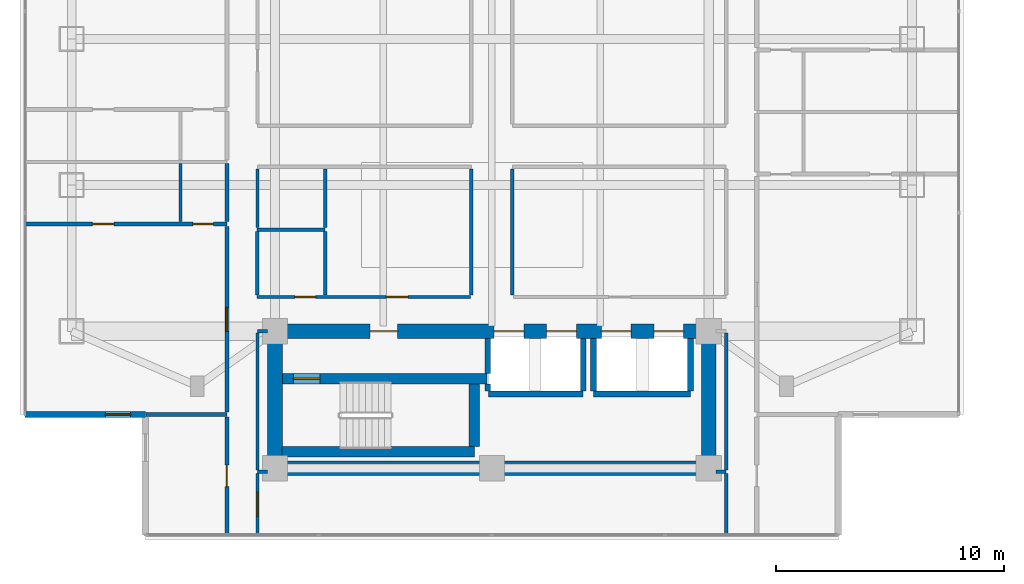
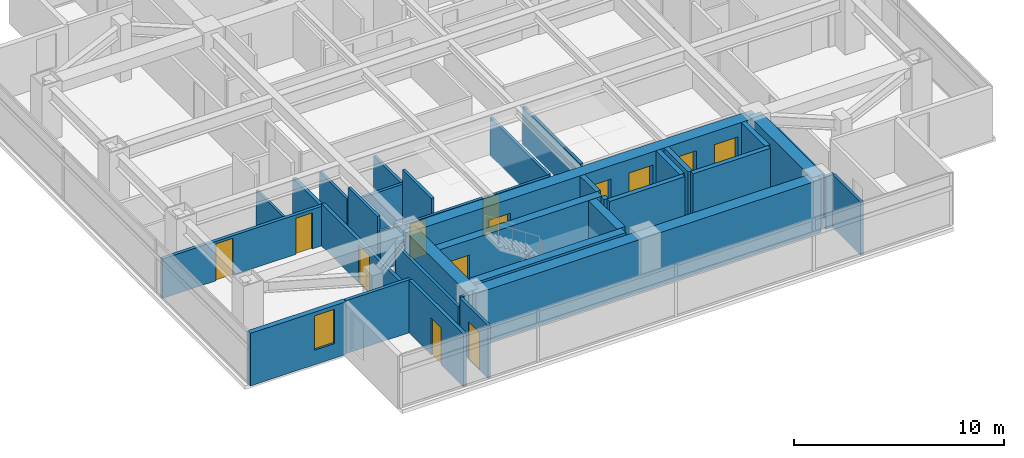
# One storey, part 14 of 27: 36 walls, 13 doors, 1 window, 14 openings.
"""IFC4 building model written with IfcOpenShell, lengths in metres."""

import ifcopenshell
import ifcopenshell.guid

model = None  # the IFC model being written
_history = None  # IfcOwnerHistory: only IFC2X3 demands one
_inside = {}  # id of a spatial element -> (the spatial element, [elements in it])
_under = {}  # id of a project, library or spatial element -> (it, [spatial elements below it])
_declared = {}  # id of a project -> (the project, [libraries it declares])
_typed = {}  # id of a type object -> (the type object, [elements of that type])
_made_of = {}  # id of a material, layer set ... -> (it, [elements and type objects made of it])


def new_model(schema):
    """Start an empty IFC model of exactly this schema.

    Asked for "IFC4X3", IfcOpenShell would pick the latest addendum, in which some entities
    have other attributes; the version numbers below select the first issue.
    IFC2X3 requires an IfcOwnerHistory on every rooted entity: one is made here for all.
    """
    global model, _history
    if schema == "IFC4X3":
        model = ifcopenshell.file(schema_version=(4, 3, 0, 0))
    else:
        model = ifcopenshell.file(schema=schema)
    _inside.clear()
    _under.clear()
    _declared.clear()
    _typed.clear()
    _made_of.clear()
    _history = None
    if model.schema == "IFC2X3":
        org = make("IfcOrganization", Name="unknown")
        user = make(
            "IfcPersonAndOrganization",
            ThePerson=make("IfcPerson", FamilyName="unknown"),
            TheOrganization=org,
        )
        app = make(
            "IfcApplication",
            ApplicationDeveloper=org,
            Version="unknown",
            ApplicationFullName="unknown",
            ApplicationIdentifier="unknown",
        )
        _history = make(
            "IfcOwnerHistory",
            OwningUser=user,
            OwningApplication=app,
            ChangeAction="ADDED",
            CreationDate=0,
        )
    return model


def make(cls, **values):
    """One entity of the class cls with the attributes given. An attribute that is None is left unset."""
    return model.create_entity(
        cls, **{name: value for name, value in values.items() if value is not None}
    )


def rooted(cls, **values):
    """An entity with a GlobalId (a new one), such as an element, a storey or a relation."""
    return make(cls, GlobalId=ifcopenshell.guid.new(), OwnerHistory=_history, **values)


def si_unit(unit_type, name, prefix=None):
    """IfcSIUnit, for example si_unit("LENGTHUNIT", "METRE", prefix="MILLI")."""
    return make("IfcSIUnit", UnitType=unit_type, Prefix=prefix, Name=name)


def assignment(units):
    """IfcUnitAssignment: the units of a project."""
    return None if units is None else make("IfcUnitAssignment", Units=units)


def point(xyz):
    """IfcCartesianPoint."""
    return None if xyz is None else make("IfcCartesianPoint", Coordinates=xyz)


def direction(xyz):
    """IfcDirection."""
    return None if xyz is None else make("IfcDirection", DirectionRatios=xyz)


def frame(location, z_axis=None, x_axis=None):
    """IfcAxis2Placement3D, a coordinate frame: its origin and axes. An axis left out is left unset."""
    return make(
        "IfcAxis2Placement3D",
        Location=point(location),
        Axis=direction(z_axis),
        RefDirection=direction(x_axis),
    )


def frame_2d(location, x_axis=None):
    """IfcAxis2Placement2D, a coordinate frame in the plane: its origin and x axis."""
    return make(
        "IfcAxis2Placement2D", Location=point(location), RefDirection=direction(x_axis)
    )


def origin():
    """The frame at (0, 0, 0) with its axes left unset."""
    return frame((0.0, 0.0, 0.0))


def place(relative_to, where):
    """IfcLocalPlacement: puts the frame where relative to a parent placement (None: the world)."""
    return make(
        "IfcLocalPlacement", PlacementRelTo=relative_to, RelativePlacement=where
    )


def context(
    kind, dimensions, precision=None, world=None, true_north=None, identifier=None
):
    """IfcGeometricRepresentationContext, for example the 3D "Model" context."""
    return make(
        "IfcGeometricRepresentationContext",
        ContextIdentifier=identifier,
        ContextType=kind,
        CoordinateSpaceDimension=dimensions,
        Precision=precision,
        WorldCoordinateSystem=world,
        TrueNorth=true_north,
    )


def subcontext(parent, identifier, kind, view, scale=None):
    """IfcGeometricRepresentationSubContext, for example "Body" below "Model"."""
    return make(
        "IfcGeometricRepresentationSubContext",
        ContextIdentifier=identifier,
        ContextType=kind,
        ParentContext=parent,
        TargetScale=scale,
        TargetView=view,
    )


def project(units=None, contexts=None):
    """IfcProject with its units and contexts."""
    return rooted(
        "IfcProject",
        Name="project",
        RepresentationContexts=contexts,
        UnitsInContext=assignment(units),
    )


def spatial(cls, under=None, at=None, **own):
    """A site, building, storey or space (cls), placed at a placement, below another one or the project."""
    s = rooted(cls, ObjectPlacement=at, **own)
    if under is not None:
        _under.setdefault(under.id(), (under, []))[1].append(s)
    return s


def profile(cls, at=None, kind="AREA", **sizes):
    """A parametric profile (cls). Its sizes go by their IFC names, for example OverallWidth=200.0."""
    return make(cls, ProfileType=kind, Position=at, **sizes)


def rectangle(**sizes):
    """IfcRectangleProfileDef."""
    return profile("IfcRectangleProfileDef", **sizes)


def extrude(swept, where, along, depth):
    """IfcExtrudedAreaSolid: the profile swept, set in the frame where, extruded along a direction by depth."""
    return make(
        "IfcExtrudedAreaSolid",
        SweptArea=swept,
        Position=where,
        ExtrudedDirection=direction(along),
        Depth=depth,
    )


def shape(context_of_items, identifier, shape_type, items):
    """IfcShapeRepresentation: the items that make up one representation, for example the "Body"."""
    return make(
        "IfcShapeRepresentation",
        ContextOfItems=context_of_items,
        RepresentationIdentifier=identifier,
        RepresentationType=shape_type,
        Items=items,
    )


def material(Name=None, Category=None):
    """IfcMaterial."""
    return make("IfcMaterial", Name=Name, Category=Category)


def layer(
    of_material, thickness, ventilated=None, Name=None, Category=None, Priority=None
):
    """IfcMaterialLayer: one layer of a wall or slab, of a material (None: an air gap)."""
    return make(
        "IfcMaterialLayer",
        Material=of_material,
        LayerThickness=thickness,
        IsVentilated=ventilated,
        Name=Name,
        Category=Category,
        Priority=Priority,
    )


def layer_set(layers, Name=None):
    """IfcMaterialLayerSet."""
    return make("IfcMaterialLayerSet", MaterialLayers=layers, LayerSetName=Name)


def made_of(thing, what):
    """Note that an element or type object is made of a material, layer set ...; save() writes the relation."""
    if what is not None:
        _made_of.setdefault(what.id(), (what, []))[1].append(thing)
    return thing


def type_object(cls, material=None, **own):
    """A type object (cls), such as IfcWallType, which elements share."""
    return made_of(rooted(cls, **own), material)


def element(
    cls,
    number,
    at=None,
    inside=None,
    cuts=None,
    type_object=None,
    material=None,
    context=None,
    identifier="Body",
    shape_type=None,
    held_by="IfcProductDefinitionShape",
    body=None,
    shapes=None,
    **own,
):
    """One element of the class cls, such as IfcWall. Its Tag is "e" and its number.

    at: its placement. inside: the storey or other place that contains it. cuts: it is an
    opening in that element (IfcRelVoidsElement). A single representation is given by context,
    identifier, shape_type and body (its items); several are given by shapes. held_by: the class
    of the entity that holds the representations. save() writes the other relations.
    """
    e = rooted(cls, Tag="e%d" % number, ObjectPlacement=at, **own)
    if body is not None:
        shapes = [shape(context, identifier, shape_type, body)]
    if shapes is not None:
        e.Representation = make(held_by, Representations=shapes)
    if inside is not None:
        _inside.setdefault(inside.id(), (inside, []))[1].append(e)
    if cuts is not None:
        rooted(
            "IfcRelVoidsElement", RelatingBuildingElement=cuts, RelatedOpeningElement=e
        )
    if type_object is not None:
        _typed.setdefault(type_object.id(), (type_object, []))[1].append(e)
    return made_of(e, material)


def fill(opening, filler):
    """IfcRelFillsElement: the door or window that sits in an opening."""
    return rooted(
        "IfcRelFillsElement",
        RelatingOpeningElement=opening,
        RelatedBuildingElement=filler,
    )


def aggregate(whole, parts):
    """IfcRelAggregates: a whole, such as a stair, and the parts it consists of."""
    return rooted("IfcRelAggregates", RelatingObject=whole, RelatedObjects=parts)


def save(model, path):
    """Write the relations noted so far, then the file.

    IfcRelAggregates (storeys below a building ...), IfcRelContainedInSpatialStructure (elements
    in a storey), IfcRelDefinesByType, IfcRelAssociatesMaterial and IfcRelDeclares: one each for
    every whole, place, type object, material and project.
    """
    for whole, parts in _under.values():
        aggregate(whole, parts)
    for where, things in _inside.values():
        rooted(
            "IfcRelContainedInSpatialStructure",
            RelatedElements=things,
            RelatingStructure=where,
        )
    for kind, things in _typed.values():
        rooted("IfcRelDefinesByType", RelatedObjects=things, RelatingType=kind)
    for what, things in _made_of.values():
        rooted("IfcRelAssociatesMaterial", RelatedObjects=things, RelatingMaterial=what)
    for by, libraries in _declared.values():
        rooted("IfcRelDeclares", RelatingContext=by, RelatedDefinitions=libraries)
    model.write(path)


model = new_model("IFC4")

# Units and contexts
model_context = context("Model", 3, precision=1e-05, world=origin(), true_north=direction((0.0, 1.0)))
body_context = subcontext(model_context, "Body", "Model", "MODEL_VIEW")
ifc_project = project(units=[si_unit("LENGTHUNIT", "METRE"), si_unit("AREAUNIT", "SQUARE_METRE"), si_unit("VOLUMEUNIT", "CUBIC_METRE"), si_unit("PLANEANGLEUNIT", "RADIAN"), si_unit("MASSUNIT", "GRAM", prefix="KILO")], contexts=[model_context])

# Site, building, storey
site_placement = place(None, origin())
site = spatial("IfcSite", under=ifc_project, at=site_placement, CompositionType="ELEMENT")
building_placement = place(site_placement, origin())
building = spatial("IfcBuilding", under=site, at=building_placement, Name="Mirazonda Arch Towers", CompositionType="ELEMENT")
storey_placement = place(building_placement, frame((0.0, 0.0, 124.699951171875)))
storey = spatial("IfcBuildingStorey", under=building, at=storey_placement, Name="L35", CompositionType="ELEMENT", Elevation=124.699951171875)

# Wall
ifc_material_1 = material(Name="Concrete C50/60", Category="concrete")
ifc_layer_1 = layer(ifc_material_1, 0.449951171875, Name="WALL-CORE-450")
ifc_layer_set_1 = layer_set([ifc_layer_1], Name="Concrete C50/60")
wall_type_1 = type_object("IfcWallType", Name="WALL-CORE-450", PredefinedType="SHEAR", material=ifc_layer_set_1)
wall_1_placement = place(storey_placement, frame((11.320068359375, 13.1201171875, 0.0), z_axis=(0.0, 0.0, 1.0), x_axis=(1.0, 0.0, 0.0)))
element("IfcWall", 1, at=wall_1_placement, inside=storey, type_object=wall_type_1, Name="L35 Stair Core Shear Wall 003", PredefinedType="SHEAR", context=body_context, shape_type="SweptSolid", body=[
    extrude(rectangle(XDim=8.409912109375, YDim=0.449951171875, at=frame_2d((4.205078125, 0.0))), origin(), (0.0, 0.0, 1.0), 3.080078125),
])

# Wall, opening, door
wall_2_placement = place(storey_placement, frame((11.320068359375, 16.320068359375, 0.0), z_axis=(0.0, 0.0, 1.0), x_axis=(1.0, 0.0, 0.0)))
wall_2 = element("IfcWall", 2, at=wall_2_placement, inside=storey, type_object=wall_type_1, Name="L35 Stair Core Shear Wall 008", PredefinedType="SHEAR", context=body_context, shape_type="SweptSolid", body=[
    extrude(rectangle(XDim=8.9599609375, YDim=0.449951171875, at=frame_2d((4.47998046875, 0.0))), origin(), (0.0, 0.0, 1.0), 3.080078125),
])
opening_1_placement = place(wall_2_placement, frame((0.4951171875, 0.0, 0.0)))
opening_1 = element("IfcOpeningElement", 3, at=opening_1_placement, cuts=wall_2, Name="Opening DR-135", PredefinedType="OPENING", context=body_context, shape_type="SweptSolid", body=[
    extrude(rectangle(XDim=1.14990234375, YDim=2.199951171875, at=frame_2d((0.574951171875, 1.10009765625))), frame((0.0, 0.23486328125, 0.0), z_axis=(0.0, -1.0, 0.0), x_axis=(1.0, 0.0, 0.0)), (0.0, 0.0, 1.0), 0.469970703125),
])
ifc_material_2 = material(Name="Architectural Brushed Steel S355", Category="steel")
door_type_1 = type_object("IfcDoorType", Name="DOOR-STAIR-FD90-1150", OperationType="NOTDEFINED", PredefinedType="DOOR", material=ifc_material_2)
door_1_placement = place(opening_1_placement, origin())
door_1 = element("IfcDoor", 4, at=door_1_placement, inside=storey, type_object=door_type_1, Name="L35 Protected Exit Stair South Door", OperationType="SINGLE_SWING_LEFT", OverallHeight=2.199951171875, OverallWidth=1.14990234375, PredefinedType="DOOR", context=body_context, shape_type="SweptSolid", body=[
    extrude(rectangle(XDim=1.14990234375, YDim=2.199951171875, at=frame_2d((0.574951171875, 1.10009765625))), frame((0.0, 0.02490234375, 0.0), z_axis=(0.0, -1.0, 0.0), x_axis=(1.0, 0.0, 0.0)), (0.0, 0.0, 1.0), 0.050048828125),
])
fill(opening_1, door_1)

# Walls
wall_3_placement = place(storey_placement, frame((19.72998046875, 13.35498046875, 0.0), z_axis=(0.0, 0.0, 1.0), x_axis=(0.0, 1.0, 0.0)))
element("IfcWall", 5, at=wall_3_placement, inside=storey, type_object=wall_type_1, Name="L35 Stair Core Shear Wall 082", PredefinedType="SHEAR", context=body_context, shape_type="SweptSolid", body=[
    extrude(rectangle(XDim=2.72998046875, YDim=0.449951171875, at=frame_2d((1.364990234375, 0.0))), origin(), (0.0, 0.0, 1.0), 3.080078125),
])
ifc_material_3 = material(Name="Concrete C60/75", Category="concrete")
ifc_layer_2 = layer(ifc_material_3, 0.64990234375, Name="WALL-CORE-650")
ifc_layer_set_2 = layer_set([ifc_layer_2], Name="Concrete C60/75")
wall_type_2 = type_object("IfcWallType", Name="WALL-CORE-650", PredefinedType="SHEAR", material=ifc_layer_set_2)
wall_4_placement = place(storey_placement, frame((11.0, 12.39990234375, 0.0), z_axis=(0.0, 0.0, 1.0), x_axis=(1.0, 0.0, 0.0)))
element("IfcWall", 6, at=wall_4_placement, inside=storey, type_object=wall_type_2, Name="L35 T1S-S Core Shear Wall", PredefinedType="SHEAR", context=body_context, shape_type="SweptSolid", body=[
    extrude(rectangle(XDim=19.0, YDim=0.64990234375, at=frame_2d((9.5, 0.0))), origin(), (0.0, 0.0, 1.0), 3.080078125),
])
for number, where, z_axis, x_axis, name in (
    (7, (11.0, 12.39990234375, 0.0), (0.0, 0.0, 1.0), (0.0, 1.0, 0.0), "L35 T1S-W Core Shear Wall"),
    (8, (30.0, 12.39990234375, 0.0), (0.0, 0.0, 1.0), (0.0, 1.0, 0.0), "L35 T1S-E Core Shear Wall"),
):
    element("IfcWall", number, at=place(storey_placement, frame(where, z_axis=z_axis, x_axis=x_axis)), inside=storey, type_object=wall_type_2, Name=name, PredefinedType="SHEAR", context=body_context, shape_type="SweptSolid", body=[
        extrude(rectangle(XDim=6.0, YDim=0.64990234375, at=frame_2d((3.0, 0.0))), origin(), (0.0, 0.0, 1.0), 3.080078125),
    ])

# Wall, openings, doors
wall_5_placement = place(storey_placement, frame((11.0, 18.39990234375, 0.0), z_axis=(0.0, 0.0, 1.0), x_axis=(1.0, 0.0, 0.0)))
wall_5 = element("IfcWall", 9, at=wall_5_placement, inside=storey, type_object=wall_type_2, Name="L35 T1S-N Core Shear Wall", PredefinedType="SHEAR", context=body_context, shape_type="SweptSolid", body=[
    extrude(rectangle(XDim=19.0, YDim=0.64990234375, at=frame_2d((9.5, 0.0))), origin(), (0.0, 0.0, 1.0), 3.080078125),
])
opening_2_placement = place(wall_5_placement, frame((4.175048828125, 0.0, 0.0)))
opening_2 = element("IfcOpeningElement", 10, at=opening_2_placement, cuts=wall_5, Name="Opening DR-117", PredefinedType="OPENING", context=body_context, shape_type="SweptSolid", body=[
    extrude(rectangle(XDim=1.199951171875, YDim=2.25, at=frame_2d((0.60009765625, 1.125))), frame((0.0, 0.3349609375, 0.0), z_axis=(0.0, -1.0, 0.0), x_axis=(1.0, 0.0, 0.0)), (0.0, 0.0, 1.0), 0.669921875),
])
opening_3_placement = place(wall_5_placement, frame((9.60009765625, 0.0, 0.0)))
opening_3 = element("IfcOpeningElement", 11, at=opening_3_placement, cuts=wall_5, Name="Opening LD-111", PredefinedType="OPENING", context=body_context, shape_type="SweptSolid", body=[
    extrude(rectangle(XDim=1.300048828125, YDim=2.300048828125, at=frame_2d((0.64990234375, 1.14990234375))), frame((0.0, 0.3349609375, 0.0), z_axis=(0.0, -1.0, 0.0), x_axis=(1.0, 0.0, 0.0)), (0.0, 0.0, 1.0), 0.669921875),
])
opening_4_placement = place(wall_5_placement, frame((11.89990234375, 0.0, 0.0)))
opening_4 = element("IfcOpeningElement", 12, at=opening_4_placement, cuts=wall_5, Name="Opening LD-111", PredefinedType="OPENING", context=body_context, shape_type="SweptSolid", body=[
    extrude(rectangle(XDim=1.300048828125, YDim=2.300048828125, at=frame_2d((0.64990234375, 1.14990234375))), frame((0.0, 0.3349609375, 0.0), z_axis=(0.0, -1.0, 0.0), x_axis=(1.0, 0.0, 0.0)), (0.0, 0.0, 1.0), 0.669921875),
])
opening_5_placement = place(wall_5_placement, frame((14.300048828125, 0.0, 0.0)))
opening_5 = element("IfcOpeningElement", 13, at=opening_5_placement, cuts=wall_5, Name="Opening LD-111", PredefinedType="OPENING", context=body_context, shape_type="SweptSolid", body=[
    extrude(rectangle(XDim=1.300048828125, YDim=2.300048828125, at=frame_2d((0.64990234375, 1.14990234375))), frame((0.0, 0.3349609375, 0.0), z_axis=(0.0, -1.0, 0.0), x_axis=(1.0, 0.0, 0.0)), (0.0, 0.0, 1.0), 0.669921875),
])
opening_6_placement = place(wall_5_placement, frame((16.60009765625, 0.0, 0.0)))
opening_6 = element("IfcOpeningElement", 14, at=opening_6_placement, cuts=wall_5, Name="Opening LD-111", PredefinedType="OPENING", context=body_context, shape_type="SweptSolid", body=[
    extrude(rectangle(XDim=1.300048828125, YDim=2.300048828125, at=frame_2d((0.64990234375, 1.14990234375))), frame((0.0, 0.3349609375, 0.0), z_axis=(0.0, -1.0, 0.0), x_axis=(1.0, 0.0, 0.0)), (0.0, 0.0, 1.0), 0.669921875),
])
door_type_2 = type_object("IfcDoorType", Name="DOOR-FFL-FD90-1200", OperationType="NOTDEFINED", PredefinedType="DOOR", material=ifc_material_2)
door_2_placement = place(opening_2_placement, origin())
door_2 = element("IfcDoor", 15, at=door_2_placement, inside=storey, type_object=door_type_2, Name="L35 South Core Stair & Lift Lobby Door", OperationType="SINGLE_SWING_RIGHT", OverallHeight=2.25, OverallWidth=1.199951171875, PredefinedType="DOOR", context=body_context, shape_type="SweptSolid", body=[
    extrude(rectangle(XDim=1.199951171875, YDim=2.25, at=frame_2d((0.60009765625, 1.125))), frame((0.0, 0.02490234375, 0.0), z_axis=(0.0, -1.0, 0.0), x_axis=(1.0, 0.0, 0.0)), (0.0, 0.0, 1.0), 0.050048828125),
])
fill(opening_2, door_2)
door_type_3 = type_object("IfcDoorType", Name="DOOR-LIFT-LAND-1300", OperationType="NOTDEFINED", PredefinedType="DOOR", material=ifc_material_2)
door_3_placement = place(opening_3_placement, origin())
door_3 = element("IfcDoor", 16, at=door_3_placement, inside=storey, type_object=door_type_3, Name="L35 Lift Landing Sliding Door PL-T1M1", OperationType="DOUBLE_DOOR_SLIDING", OverallHeight=2.300048828125, OverallWidth=1.300048828125, PredefinedType="DOOR", context=body_context, shape_type="SweptSolid", body=[
    extrude(rectangle(XDim=1.300048828125, YDim=2.300048828125, at=frame_2d((0.64990234375, 1.14990234375))), frame((0.0, 0.02490234375, 0.0), z_axis=(0.0, -1.0, 0.0), x_axis=(1.0, 0.0, 0.0)), (0.0, 0.0, 1.0), 0.050048828125),
])
fill(opening_3, door_3)
door_4_placement = place(opening_4_placement, origin())
door_4 = element("IfcDoor", 17, at=door_4_placement, inside=storey, type_object=door_type_3, Name="L35 Lift Landing Sliding Door PL-T1M2", OperationType="DOUBLE_DOOR_SLIDING", OverallHeight=2.300048828125, OverallWidth=1.300048828125, PredefinedType="DOOR", context=body_context, shape_type="SweptSolid", body=[
    extrude(rectangle(XDim=1.300048828125, YDim=2.300048828125, at=frame_2d((0.64990234375, 1.14990234375))), frame((0.0, 0.02490234375, 0.0), z_axis=(0.0, -1.0, 0.0), x_axis=(1.0, 0.0, 0.0)), (0.0, 0.0, 1.0), 0.050048828125),
])
fill(opening_4, door_4)
door_5_placement = place(opening_5_placement, origin())
door_5 = element("IfcDoor", 18, at=door_5_placement, inside=storey, type_object=door_type_3, Name="L35 Lift Landing Sliding Door PL-T1H1", OperationType="DOUBLE_DOOR_SLIDING", OverallHeight=2.300048828125, OverallWidth=1.300048828125, PredefinedType="DOOR", context=body_context, shape_type="SweptSolid", body=[
    extrude(rectangle(XDim=1.300048828125, YDim=2.300048828125, at=frame_2d((0.64990234375, 1.14990234375))), frame((0.0, 0.02490234375, 0.0), z_axis=(0.0, -1.0, 0.0), x_axis=(1.0, 0.0, 0.0)), (0.0, 0.0, 1.0), 0.050048828125),
])
fill(opening_5, door_5)
door_6_placement = place(opening_6_placement, origin())
door_6 = element("IfcDoor", 19, at=door_6_placement, inside=storey, type_object=door_type_3, Name="L35 Lift Landing Sliding Door PL-T1H2", OperationType="DOUBLE_DOOR_SLIDING", OverallHeight=2.300048828125, OverallWidth=1.300048828125, PredefinedType="DOOR", context=body_context, shape_type="SweptSolid", body=[
    extrude(rectangle(XDim=1.300048828125, YDim=2.300048828125, at=frame_2d((0.64990234375, 1.14990234375))), frame((0.0, 0.02490234375, 0.0), z_axis=(0.0, -1.0, 0.0), x_axis=(1.0, 0.0, 0.0)), (0.0, 0.0, 1.0), 0.050048828125),
])
fill(opening_6, door_6)

# Wall, opening, window
ifc_material_4 = material(Name="Precast Concrete C40/50", Category="concrete")
ifc_layer_3 = layer(ifc_material_4, 0.280029296875, Name="WALL-EXT-WALL-280")
ifc_layer_set_3 = layer_set([ifc_layer_3], Name="Precast Concrete C40/50")
wall_type_3 = type_object("IfcWallType", Name="WALL-EXT-WALL-280", PredefinedType="SOLIDWALL", material=ifc_layer_set_3)
wall_6_placement = place(storey_placement, frame((0.06005859375, 14.75390625, 0.0), z_axis=(0.0, 0.0, 1.0), x_axis=(1.0, 0.0, 0.0)))
wall_6 = element("IfcWall", 20, at=wall_6_placement, inside=storey, type_object=wall_type_3, Name="L35 T1 Corner Notch Return Wall WL-L35-T1-CSW2", PredefinedType="SOLIDWALL", context=body_context, shape_type="SweptSolid", body=[
    extrude(rectangle(XDim=5.27001953125, YDim=0.280029296875, at=frame_2d((2.635009765625, 0.0))), origin(), (0.0, 0.0, 1.0), 3.06005859375),
])
opening_7_placement = place(wall_6_placement, frame((3.52001953125, 0.0, 0.85009765625)))
opening_7 = element("IfcOpeningElement", 21, at=opening_7_placement, cuts=wall_6, Name="Opening WN-108", PredefinedType="OPENING", context=body_context, shape_type="SweptSolid", body=[
    extrude(rectangle(XDim=1.10009765625, YDim=2.0, at=frame_2d((0.550048828125, 1.0))), frame((0.0, 0.14990234375, 0.0), z_axis=(0.0, -1.0, 0.0), x_axis=(1.0, 0.0, 0.0)), (0.0, 0.0, 1.0), 0.300048828125),
])
ifc_material_5 = material(Name="Insulated Low-E Solar Glass", Category="glass")
window_type = type_object("IfcWindowType", Name="WIN-NOTCH-1100x2000", PartitioningType="SINGLE_PANEL", PredefinedType="WINDOW", material=ifc_material_5)
window_placement = place(opening_7_placement, origin())
window = element("IfcWindow", 22, at=window_placement, inside=storey, type_object=window_type, Name="L35 Punched Facade Window WN-L35-T1-CSW2", OverallHeight=2.0, OverallWidth=1.10009765625, PartitioningType="SINGLE_PANEL", PredefinedType="WINDOW", context=body_context, shape_type="SweptSolid", body=[
    extrude(rectangle(XDim=1.10009765625, YDim=2.0, at=frame_2d((0.550048828125, 1.0))), frame((0.0, 0.030029296875, 0.0), z_axis=(0.0, -1.0, 0.0), x_axis=(1.0, 0.0, 0.0)), (0.0, 0.0, 1.0), 0.06005859375),
])
fill(opening_7, window)

# Walls
ifc_material_6 = material(Name="Fire-Rated Gypsum Stud Partition")
ifc_layer_4 = layer(ifc_material_6, 0.14990234375, Name="WALL-PART-CORR-150")
ifc_layer_set_4 = layer_set([ifc_layer_4], Name="Fire-Rated Gypsum Stud Partition")
wall_type_4 = type_object("IfcWallType", Name="WALL-PART-CORR-150", PredefinedType="PARTITIONING", material=ifc_layer_set_4)
for number, where, z_axis, x_axis, name in (
    (23, (10.239990234375, 12.25, 0.0), (0.0, 0.0, 1.0), (1.0, 0.0, 0.0), "L35 Interior Partition 001"),
    (24, (30.320068359375, 12.25, 0.0), (0.0, 0.0, 1.0), (1.0, 0.0, 0.0), "L35 Interior Partition 002"),
):
    element("IfcWall", number, at=place(storey_placement, frame(where, z_axis=z_axis, x_axis=x_axis)), inside=storey, type_object=wall_type_4, Name=name, PredefinedType="PARTITIONING", context=body_context, shape_type="SweptSolid", body=[
        extrude(rectangle(XDim=0.43994140625, YDim=0.14990234375, at=frame_2d((0.219970703125, 0.0))), origin(), (0.0, 0.0, 1.0), 3.080078125),
    ])
wall_7_placement = place(storey_placement, frame((10.239990234375, 18.39990234375, 0.0), z_axis=(0.0, 0.0, 1.0), x_axis=(1.0, 0.0, 0.0)))
element("IfcWall", 25, at=wall_7_placement, inside=storey, type_object=wall_type_4, Name="L35 Interior Partition 012", PredefinedType="PARTITIONING", context=body_context, shape_type="SweptSolid", body=[
    extrude(rectangle(XDim=0.43994140625, YDim=0.14990234375, at=frame_2d((0.219970703125, 0.0))), origin(), (0.0, 0.0, 1.0), 2.4560546875),
])

# Wall, openings, doors
wall_8_placement = place(storey_placement, frame((10.219970703125, 19.89990234375, 0.0), z_axis=(0.0, 0.0, 1.0), x_axis=(1.0, 0.0, 0.0)))
wall_8 = element("IfcWall", 26, at=wall_8_placement, inside=storey, type_object=wall_type_4, Name="L35 Interior Partition 015", PredefinedType="PARTITIONING", context=body_context, shape_type="SweptSolid", body=[
    extrude(rectangle(XDim=9.340087890625, YDim=0.14990234375, at=frame_2d((4.669921875, 0.0))), origin(), (0.0, 0.0, 1.0), 2.216064453125),
])
opening_8_placement = place(wall_8_placement, frame((1.659912109375, 0.0, 0.0)))
opening_8 = element("IfcOpeningElement", 27, at=opening_8_placement, cuts=wall_8, Name="Opening DR-120", PredefinedType="OPENING", context=body_context, shape_type="SweptSolid", body=[
    extrude(rectangle(XDim=0.89990234375, YDim=2.10009765625, at=frame_2d((0.449951171875, 1.050048828125))), frame((0.0, 0.0849609375, 0.0), z_axis=(0.0, -1.0, 0.0), x_axis=(1.0, 0.0, 0.0)), (0.0, 0.0, 1.0), 0.169921875),
])
opening_9_placement = place(wall_8_placement, frame((5.6650390625, 0.0, 0.0)))
opening_9 = element("IfcOpeningElement", 28, at=opening_9_placement, cuts=wall_8, Name="Opening DR-104", PredefinedType="OPENING", context=body_context, shape_type="SweptSolid", body=[
    extrude(rectangle(XDim=0.949951171875, YDim=2.14990234375, at=frame_2d((0.47509765625, 1.074951171875))), frame((0.0, 0.0849609375, 0.0), z_axis=(0.0, -1.0, 0.0), x_axis=(1.0, 0.0, 0.0)), (0.0, 0.0, 1.0), 0.169921875),
])
door_type_4 = type_object("IfcDoorType", Name="DOOR-ROOM-950", OperationType="NOTDEFINED", PredefinedType="DOOR", material=ifc_material_2)
door_7_placement = place(opening_9_placement, origin())
door_7 = element("IfcDoor", 29, at=door_7_placement, inside=storey, type_object=door_type_4, Name="L35 L35 West Courtyard Study Door", OperationType="SINGLE_SWING_LEFT", OverallHeight=2.14990234375, OverallWidth=0.949951171875, PredefinedType="DOOR", context=body_context, shape_type="SweptSolid", body=[
    extrude(rectangle(XDim=0.949951171875, YDim=2.14990234375, at=frame_2d((0.47509765625, 1.074951171875))), frame((0.0, 0.02490234375, 0.0), z_axis=(0.0, -1.0, 0.0), x_axis=(1.0, 0.0, 0.0)), (0.0, 0.0, 1.0), 0.050048828125),
])
fill(opening_9, door_7)
door_type_5 = type_object("IfcDoorType", Name="DOOR-WC-900", OperationType="NOTDEFINED", PredefinedType="DOOR", material=ifc_material_2)
door_8_placement = place(opening_8_placement, origin())
door_8 = element("IfcDoor", 30, at=door_8_placement, inside=storey, type_object=door_type_5, Name="L35 Common Accessible WC Door", OperationType="SINGLE_SWING_RIGHT", OverallHeight=2.10009765625, OverallWidth=0.89990234375, PredefinedType="DOOR", context=body_context, shape_type="SweptSolid", body=[
    extrude(rectangle(XDim=0.89990234375, YDim=2.10009765625, at=frame_2d((0.449951171875, 1.050048828125))), frame((0.0, 0.02490234375, 0.0), z_axis=(0.0, -1.0, 0.0), x_axis=(1.0, 0.0, 0.0)), (0.0, 0.0, 1.0), 0.050048828125),
])
fill(opening_8, door_8)

# Walls
wall_9_placement = place(storey_placement, frame((10.219970703125, 22.85009765625, 0.0), z_axis=(0.0, 0.0, 1.0), x_axis=(1.0, 0.0, 0.0)))
element("IfcWall", 31, at=wall_9_placement, inside=storey, type_object=wall_type_4, Name="L35 Interior Partition 022", PredefinedType="PARTITIONING", context=body_context, shape_type="SweptSolid", body=[
    extrude(rectangle(XDim=2.97998046875, YDim=0.14990234375, at=frame_2d((1.489990234375, 0.0))), origin(), (0.0, 0.0, 1.0), 2.216064453125),
])
wall_10_placement = place(storey_placement, frame((10.219970703125, 19.985107421875, 0.0), z_axis=(0.0, 0.0, 1.0), x_axis=(0.0, 1.0, 0.0)))
element("IfcWall", 32, at=wall_10_placement, inside=storey, type_object=wall_type_4, Name="L35 Interior Partition 067", PredefinedType="PARTITIONING", context=body_context, shape_type="SweptSolid", body=[
    extrude(rectangle(XDim=2.77978515625, YDim=0.14990234375, at=frame_2d((1.389892578125, 0.0))), origin(), (0.0, 0.0, 1.0), 3.080078125),
])

# Wall, opening, door
wall_11_placement = place(storey_placement, frame((10.239990234375, 9.48388671875, 0.0), z_axis=(0.0, 0.0, 1.0), x_axis=(0.0, 1.0, 0.0)))
wall_11 = element("IfcWall", 33, at=wall_11_placement, inside=storey, type_object=wall_type_4, Name="L35 Interior Partition 068", PredefinedType="PARTITIONING", context=body_context, shape_type="SweptSolid", body=[
    extrude(rectangle(XDim=2.68115234375, YDim=0.14990234375, at=frame_2d((1.340576171875, 0.0))), origin(), (0.0, 0.0, 1.0), 3.080078125),
])
opening_10_placement = place(wall_11_placement, frame((0.8154296875, 0.0, 0.0)))
opening_10 = element("IfcOpeningElement", 34, at=opening_10_placement, cuts=wall_11, Name="Opening DR-121", PredefinedType="OPENING", context=body_context, shape_type="SweptSolid", body=[
    extrude(rectangle(XDim=1.050048828125, YDim=2.199951171875, at=frame_2d((0.52490234375, 1.10009765625))), frame((0.0, 0.0849609375, 0.0), z_axis=(0.0, -1.0, 0.0), x_axis=(1.0, 0.0, 0.0)), (0.0, 0.0, 1.0), 0.169921875),
])
door_type_6 = type_object("IfcDoorType", Name="DOOR-SUITE-FD60-1050", OperationType="NOTDEFINED", PredefinedType="DOOR", material=ifc_material_2)
door_9_placement = place(opening_10_placement, origin())
door_9 = element("IfcDoor", 35, at=door_9_placement, inside=storey, type_object=door_type_6, Name="L35 South Horizon Lounge Gallery Door", OperationType="SINGLE_SWING_LEFT", OverallHeight=2.199951171875, OverallWidth=1.050048828125, PredefinedType="DOOR", context=body_context, shape_type="SweptSolid", body=[
    extrude(rectangle(XDim=1.050048828125, YDim=2.199951171875, at=frame_2d((0.52490234375, 1.10009765625))), frame((0.0, 0.02490234375, 0.0), z_axis=(0.0, -1.0, 0.0), x_axis=(1.0, 0.0, 0.0)), (0.0, 0.0, 1.0), 0.050048828125),
])
fill(opening_10, door_9)

# Walls
wall_12_placement = place(storey_placement, frame((10.239990234375, 12.3349609375, 0.0), z_axis=(0.0, 0.0, 1.0), x_axis=(0.0, 1.0, 0.0)))
element("IfcWall", 36, at=wall_12_placement, inside=storey, type_object=wall_type_4, Name="L35 Interior Partition 069", PredefinedType="PARTITIONING", context=body_context, shape_type="SweptSolid", body=[
    extrude(rectangle(XDim=5.97998046875, YDim=0.14990234375, at=frame_2d((2.989990234375, 0.0))), origin(), (0.0, 0.0, 1.0), 2.4560546875),
])
wall_13_placement = place(storey_placement, frame((10.239990234375, 22.93505859375, 0.0), z_axis=(0.0, 0.0, 1.0), x_axis=(0.0, 1.0, 0.0)))
element("IfcWall", 37, at=wall_13_placement, inside=storey, type_object=wall_type_4, Name="L35 Interior Partition 070", PredefinedType="PARTITIONING", context=body_context, shape_type="SweptSolid", body=[
    extrude(rectangle(XDim=2.579833984375, YDim=0.14990234375, at=frame_2d((1.2900390625, 0.0))), origin(), (0.0, 0.0, 1.0), 2.299072265625),
])
wall_14_placement = place(storey_placement, frame((13.199951171875, 19.985107421875, 0.0), z_axis=(0.0, 0.0, 1.0), x_axis=(0.0, 1.0, 0.0)))
element("IfcWall", 38, at=wall_14_placement, inside=storey, type_object=wall_type_4, Name="L35 Interior Partition 075", PredefinedType="PARTITIONING", context=body_context, shape_type="SweptSolid", body=[
    extrude(rectangle(XDim=2.77978515625, YDim=0.14990234375, at=frame_2d((1.389892578125, 0.0))), origin(), (0.0, 0.0, 1.0), 3.080078125),
])
wall_15_placement = place(storey_placement, frame((13.199951171875, 22.93505859375, 0.0), z_axis=(0.0, 0.0, 1.0), x_axis=(0.0, 1.0, 0.0)))
element("IfcWall", 39, at=wall_15_placement, inside=storey, type_object=wall_type_4, Name="L35 Interior Partition 076", PredefinedType="PARTITIONING", context=body_context, shape_type="SweptSolid", body=[
    extrude(rectangle(XDim=2.579833984375, YDim=0.14990234375, at=frame_2d((1.2900390625, 0.0))), origin(), (0.0, 0.0, 1.0), 2.216064453125),
])
for number, where, z_axis, x_axis, name in (
    (40, (19.60009765625, 19.985107421875, 0.0), (0.0, 0.0, 1.0), (0.0, 1.0, 0.0), "L35 Interior Partition 080"),
    (41, (21.39990234375, 19.985107421875, 0.0), (0.0, 0.0, 1.0), (0.0, 1.0, 0.0), "L35 Interior Partition 087"),
):
    element("IfcWall", number, at=place(storey_placement, frame(where, z_axis=z_axis, x_axis=x_axis)), inside=storey, type_object=wall_type_4, Name=name, PredefinedType="PARTITIONING", context=body_context, shape_type="SweptSolid", body=[
        extrude(rectangle(XDim=5.52978515625, YDim=0.14990234375, at=frame_2d((2.764892578125, 0.0))), origin(), (0.0, 0.0, 1.0), 2.216064453125),
    ])
wall_16_placement = place(storey_placement, frame((30.760009765625, 9.48388671875, 0.0), z_axis=(0.0, 0.0, 1.0), x_axis=(0.0, 1.0, 0.0)))
element("IfcWall", 42, at=wall_16_placement, inside=storey, type_object=wall_type_4, Name="L35 Interior Partition 099", PredefinedType="PARTITIONING", context=body_context, shape_type="SweptSolid", body=[
    extrude(rectangle(XDim=2.68115234375, YDim=0.14990234375, at=frame_2d((1.340576171875, 0.0))), origin(), (0.0, 0.0, 1.0), 3.080078125),
])
wall_17_placement = place(storey_placement, frame((30.760009765625, 12.3349609375, 0.0), z_axis=(0.0, 0.0, 1.0), x_axis=(0.0, 1.0, 0.0)))
element("IfcWall", 43, at=wall_17_placement, inside=storey, type_object=wall_type_4, Name="L35 Interior Partition 100", PredefinedType="PARTITIONING", context=body_context, shape_type="SweptSolid", body=[
    extrude(rectangle(XDim=5.97998046875, YDim=0.14990234375, at=frame_2d((2.989990234375, 0.0))), origin(), (0.0, 0.0, 1.0), 2.4560546875),
])
ifc_material_7 = material(Name="Fire-Rated Gypsum Twin-Stud Assembly")
ifc_layer_5 = layer(ifc_material_7, 0.179931640625, Name="WALL-PART-DEMISE-180")
ifc_layer_set_5 = layer_set([ifc_layer_5], Name="Fire-Rated Gypsum Twin-Stud Assembly")
wall_type_5 = type_object("IfcWallType", Name="WALL-PART-DEMISE-180", PredefinedType="PARTITIONING", material=ifc_layer_set_5)
wall_18_placement = place(storey_placement, frame((5.35009765625, 14.75390625, 0.0), z_axis=(0.0, 0.0, 1.0), x_axis=(1.0, 0.0, 0.0)))
element("IfcWall", 44, at=wall_18_placement, inside=storey, type_object=wall_type_5, Name="L35 Interior Partition 004", PredefinedType="PARTITIONING", context=body_context, shape_type="SweptSolid", body=[
    extrude(rectangle(XDim=3.5498046875, YDim=0.179931640625, at=frame_2d((1.77490234375, 0.0))), origin(), (0.0, 0.0, 1.0), 3.080078125),
])

# Wall, openings, doors
wall_19_placement = place(storey_placement, frame((0.06005859375, 23.096923828125, 0.0), z_axis=(0.0, 0.0, 1.0), x_axis=(1.0, 0.0, 0.0)))
wall_19 = element("IfcWall", 45, at=wall_19_placement, inside=storey, type_object=wall_type_5, Name="L35 Interior Partition 023", PredefinedType="PARTITIONING", context=body_context, shape_type="SweptSolid", body=[
    extrude(rectangle(XDim=8.83984375, YDim=0.179931640625, at=frame_2d((4.419921875, 0.0))), origin(), (0.0, 0.0, 1.0), 2.299072265625),
])
opening_11_placement = place(wall_19_placement, frame((2.945068359375, 0.0, 0.0)))
opening_11 = element("IfcOpeningElement", 46, at=opening_11_placement, cuts=wall_19, Name="Opening DR-104", PredefinedType="OPENING", context=body_context, shape_type="SweptSolid", body=[
    extrude(rectangle(XDim=0.949951171875, YDim=2.14990234375, at=frame_2d((0.47509765625, 1.074951171875))), frame((0.0, 0.099853515625, 0.0), z_axis=(0.0, -1.0, 0.0), x_axis=(1.0, 0.0, 0.0)), (0.0, 0.0, 1.0), 0.199951171875),
])
opening_12_placement = place(wall_19_placement, frame((7.35009765625, 0.0, 0.0)))
opening_12 = element("IfcOpeningElement", 47, at=opening_12_placement, cuts=wall_19, Name="Opening DR-120", PredefinedType="OPENING", context=body_context, shape_type="SweptSolid", body=[
    extrude(rectangle(XDim=0.89990234375, YDim=2.10009765625, at=frame_2d((0.449951171875, 1.050048828125))), frame((0.0, 0.099853515625, 0.0), z_axis=(0.0, -1.0, 0.0), x_axis=(1.0, 0.0, 0.0)), (0.0, 0.0, 1.0), 0.199951171875),
])
door_10_placement = place(opening_11_placement, origin())
door_10 = element("IfcDoor", 48, at=door_10_placement, inside=storey, type_object=door_type_4, Name="L35 Suite Bedroom 1 Door", OperationType="SINGLE_SWING_RIGHT", OverallHeight=2.14990234375, OverallWidth=0.949951171875, PredefinedType="DOOR", context=body_context, shape_type="SweptSolid", body=[
    extrude(rectangle(XDim=0.949951171875, YDim=2.14990234375, at=frame_2d((0.47509765625, 1.074951171875))), frame((0.0, 0.02490234375, 0.0), z_axis=(0.0, -1.0, 0.0), x_axis=(1.0, 0.0, 0.0)), (0.0, 0.0, 1.0), 0.050048828125),
])
fill(opening_11, door_10)
door_11_placement = place(opening_12_placement, origin())
door_11 = element("IfcDoor", 49, at=door_11_placement, inside=storey, type_object=door_type_5, Name="L35 Suite En-Suite Bathroom 1 Door", OperationType="SINGLE_SWING_LEFT", OverallHeight=2.10009765625, OverallWidth=0.89990234375, PredefinedType="DOOR", context=body_context, shape_type="SweptSolid", body=[
    extrude(rectangle(XDim=0.89990234375, YDim=2.10009765625, at=frame_2d((0.449951171875, 1.050048828125))), frame((0.0, 0.02490234375, 0.0), z_axis=(0.0, -1.0, 0.0), x_axis=(1.0, 0.0, 0.0)), (0.0, 0.0, 1.0), 0.050048828125),
])
fill(opening_12, door_11)

# Wall, opening, door
wall_20_placement = place(storey_placement, frame((8.89990234375, 9.48388671875, 0.0), z_axis=(0.0, 0.0, 1.0), x_axis=(0.0, 1.0, 0.0)))
wall_20 = element("IfcWall", 50, at=wall_20_placement, inside=storey, type_object=wall_type_5, Name="L35 Interior Partition 061", PredefinedType="PARTITIONING", context=body_context, shape_type="SweptSolid", body=[
    extrude(rectangle(XDim=5.170166015625, YDim=0.179931640625, at=frame_2d((2.5849609375, 0.0))), origin(), (0.0, 0.0, 1.0), 3.080078125),
])
opening_13_placement = place(wall_20_placement, frame((2.110107421875, 0.0, 0.0)))
opening_13 = element("IfcOpeningElement", 51, at=opening_13_placement, cuts=wall_20, Name="Opening DR-104", PredefinedType="OPENING", context=body_context, shape_type="SweptSolid", body=[
    extrude(rectangle(XDim=0.949951171875, YDim=2.14990234375, at=frame_2d((0.47509765625, 1.074951171875))), frame((0.0, 0.099853515625, 0.0), z_axis=(0.0, -1.0, 0.0), x_axis=(1.0, 0.0, 0.0)), (0.0, 0.0, 1.0), 0.199951171875),
])
door_12_placement = place(opening_13_placement, origin())
door_12 = element("IfcDoor", 52, at=door_12_placement, inside=storey, type_object=door_type_4, Name="L35 South Horizon Lounge Alcove West Door", OperationType="SINGLE_SWING_RIGHT", OverallHeight=2.14990234375, OverallWidth=0.949951171875, PredefinedType="DOOR", context=body_context, shape_type="SweptSolid", body=[
    extrude(rectangle(XDim=0.949951171875, YDim=2.14990234375, at=frame_2d((0.47509765625, 1.074951171875))), frame((0.0, 0.02490234375, 0.0), z_axis=(0.0, -1.0, 0.0), x_axis=(1.0, 0.0, 0.0)), (0.0, 0.0, 1.0), 0.050048828125),
])
fill(opening_13, door_12)

wall_21_placement = place(storey_placement, frame((8.89990234375, 14.85400390625, 0.0), z_axis=(0.0, 0.0, 1.0), x_axis=(0.0, 1.0, 0.0)))
wall_21 = element("IfcWall", 53, at=wall_21_placement, inside=storey, type_object=wall_type_5, Name="L35 Interior Partition 062", PredefinedType="PARTITIONING", context=body_context, shape_type="SweptSolid", body=[
    extrude(rectangle(XDim=8.14306640625, YDim=0.179931640625, at=frame_2d((4.071533203125, 0.0))), origin(), (0.0, 0.0, 1.0), 2.4560546875),
])
opening_14_placement = place(wall_21_placement, frame((3.54638671875, 0.0, 0.0)))
opening_14 = element("IfcOpeningElement", 54, at=opening_14_placement, cuts=wall_21, Name="Opening DR-121", PredefinedType="OPENING", context=body_context, shape_type="SweptSolid", body=[
    extrude(rectangle(XDim=1.050048828125, YDim=2.199951171875, at=frame_2d((0.52490234375, 1.10009765625))), frame((0.0, 0.099853515625, 0.0), z_axis=(0.0, -1.0, 0.0), x_axis=(1.0, 0.0, 0.0)), (0.0, 0.0, 1.0), 0.199951171875),
])
door_13_placement = place(opening_14_placement, origin())
door_13 = element("IfcDoor", 55, at=door_13_placement, inside=storey, type_object=door_type_6, Name="L35 Presidential Hotel Suite 1 Door", OperationType="SINGLE_SWING_LEFT", OverallHeight=2.199951171875, OverallWidth=1.050048828125, PredefinedType="DOOR", context=body_context, shape_type="SweptSolid", body=[
    extrude(rectangle(XDim=1.050048828125, YDim=2.199951171875, at=frame_2d((0.52490234375, 1.10009765625))), frame((0.0, 0.02490234375, 0.0), z_axis=(0.0, -1.0, 0.0), x_axis=(1.0, 0.0, 0.0)), (0.0, 0.0, 1.0), 0.050048828125),
])
fill(opening_14, door_13)

# Walls
wall_22_placement = place(storey_placement, frame((8.89990234375, 23.197021484375, 0.0), z_axis=(0.0, 0.0, 1.0), x_axis=(0.0, 1.0, 0.0)))
element("IfcWall", 56, at=wall_22_placement, inside=storey, type_object=wall_type_5, Name="L35 Interior Partition 063", PredefinedType="PARTITIONING", context=body_context, shape_type="SweptSolid", body=[
    extrude(rectangle(XDim=2.54736328125, YDim=0.179931640625, at=frame_2d((1.273681640625, 0.0))), origin(), (0.0, 0.0, 1.0), 2.299072265625),
])
ifc_material_8 = material(Name="Acoustic Fire-Rated Gypsum Partition")
ifc_layer_6 = layer(ifc_material_8, 0.125, Name="WALL-PART-UNIT-125")
ifc_layer_set_6 = layer_set([ifc_layer_6], Name="Acoustic Fire-Rated Gypsum Partition")
wall_type_6 = type_object("IfcWallType", Name="WALL-PART-UNIT-125", PredefinedType="PARTITIONING", material=ifc_layer_set_6)
wall_23_placement = place(storey_placement, frame((6.860107421875, 23.197021484375, 0.0), z_axis=(0.0, 0.0, 1.0), x_axis=(0.0, 1.0, 0.0)))
element("IfcWall", 57, at=wall_23_placement, inside=storey, type_object=wall_type_6, Name="L35 Interior Partition 059", PredefinedType="PARTITIONING", context=body_context, shape_type="SweptSolid", body=[
    extrude(rectangle(XDim=2.54736328125, YDim=0.125, at=frame_2d((1.273681640625, 0.0))), origin(), (0.0, 0.0, 1.0), 2.299072265625),
])
ifc_material_9 = material(Name="Concrete C40/50", Category="concrete")
ifc_layer_7 = layer(ifc_material_9, 0.25, Name="WALL-SHAFT-250")
ifc_layer_set_7 = layer_set([ifc_layer_7], Name="Concrete C40/50")
wall_type_7 = type_object("IfcWallType", Name="WALL-SHAFT-250", PredefinedType="SOLIDWALL", material=ifc_layer_set_7)
wall_24_placement = place(storey_placement, frame((20.35009765625, 15.64990234375, 0.0), z_axis=(0.0, 0.0, 1.0), x_axis=(1.0, 0.0, 0.0)))
element("IfcWall", 58, at=wall_24_placement, inside=storey, type_object=wall_type_7, Name="L35 Interior Partition 006", PredefinedType="SOLIDWALL", context=body_context, shape_type="SweptSolid", body=[
    extrude(rectangle(XDim=4.14990234375, YDim=0.25, at=frame_2d((2.074951171875, 0.0))), origin(), (0.0, 0.0, 1.0), 3.080078125),
])
wall_25_placement = place(storey_placement, frame((24.949951171875, 15.64990234375, 0.0), z_axis=(0.0, 0.0, 1.0), x_axis=(1.0, 0.0, 0.0)))
element("IfcWall", 59, at=wall_25_placement, inside=storey, type_object=wall_type_7, Name="L35 Interior Partition 007", PredefinedType="SOLIDWALL", context=body_context, shape_type="SweptSolid", body=[
    extrude(rectangle(XDim=4.25, YDim=0.25, at=frame_2d((2.125, 0.0))), origin(), (0.0, 0.0, 1.0), 3.080078125),
])
wall_26_placement = place(storey_placement, frame((20.31494140625, 15.784912109375, 0.0), z_axis=(0.0, 0.0, 1.0), x_axis=(0.0, 1.0, 0.0)))
element("IfcWall", 60, at=wall_26_placement, inside=storey, type_object=wall_type_7, Name="L35 Interior Partition 084", PredefinedType="SOLIDWALL", context=body_context, shape_type="SweptSolid", body=[
    extrude(rectangle(XDim=0.300048828125, YDim=0.25, at=frame_2d((0.14990234375, 0.0))), origin(), (0.0, 0.0, 1.0), 3.080078125),
])
wall_27_placement = place(storey_placement, frame((20.31494140625, 16.554931640625, 0.0), z_axis=(0.0, 0.0, 1.0), x_axis=(0.0, 1.0, 0.0)))
element("IfcWall", 61, at=wall_27_placement, inside=storey, type_object=wall_type_7, Name="L35 Interior Partition 085", PredefinedType="SOLIDWALL", context=body_context, shape_type="SweptSolid", body=[
    extrude(rectangle(XDim=1.525146484375, YDim=0.25, at=frame_2d((0.7626953125, 0.0))), origin(), (0.0, 0.0, 1.0), 3.080078125),
])
for number, where, z_axis, x_axis, name in (
    (62, (24.5, 15.784912109375, 0.0), (0.0, 0.0, 1.0), (0.0, 1.0, 0.0), "L35 Interior Partition 089"),
    (63, (24.949951171875, 15.784912109375, 0.0), (0.0, 0.0, 1.0), (0.0, 1.0, 0.0), "L35 Interior Partition 091"),
    (64, (29.199951171875, 15.784912109375, 0.0), (0.0, 0.0, 1.0), (0.0, 1.0, 0.0), "L35 Interior Partition 096"),
):
    element("IfcWall", number, at=place(storey_placement, frame(where, z_axis=z_axis, x_axis=x_axis)), inside=storey, type_object=wall_type_7, Name=name, PredefinedType="SOLIDWALL", context=body_context, shape_type="SweptSolid", body=[
        extrude(rectangle(XDim=2.295166015625, YDim=0.25, at=frame_2d((1.1474609375, 0.0))), origin(), (0.0, 0.0, 1.0), 3.080078125),
    ])

save(model, "model.ifc")
